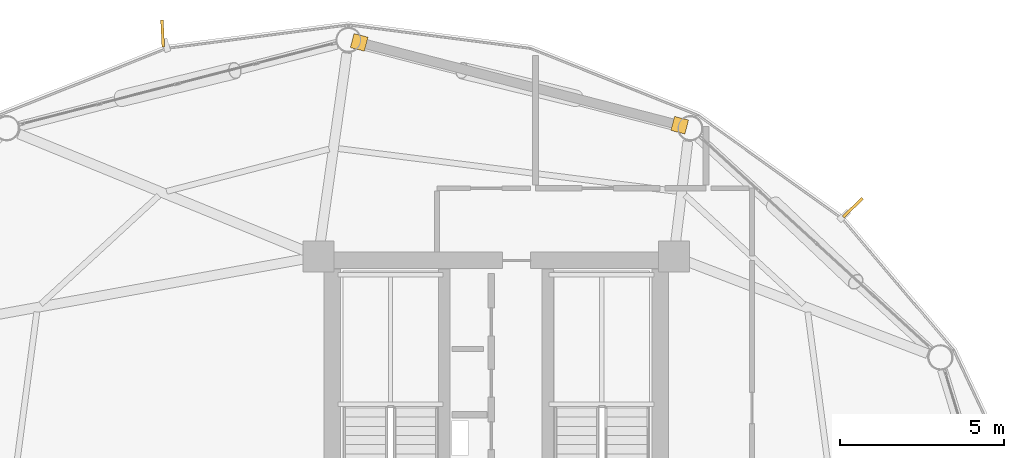
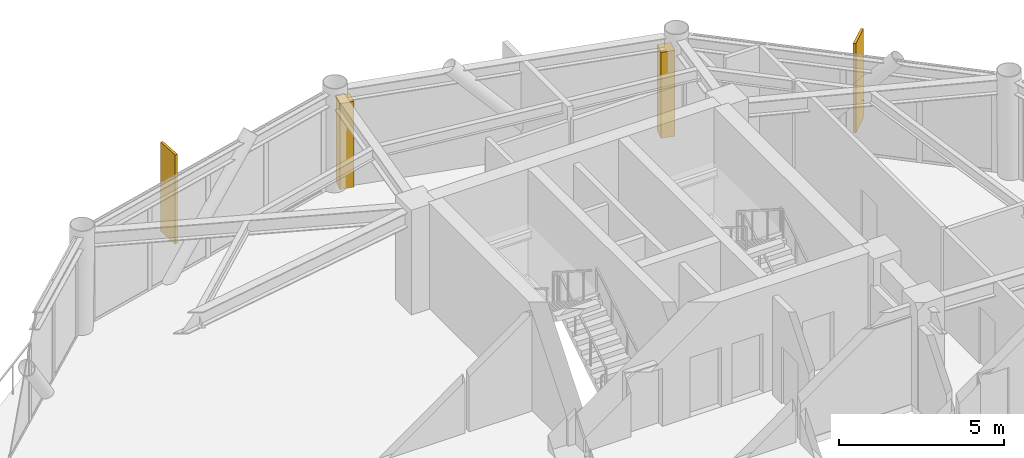
# One storey, part 26 of 26: 2 coverings, 2 shading devices.
"""IFC4 building model written with IfcOpenShell, lengths in metres."""

import ifcopenshell
import ifcopenshell.guid

model = None  # the IFC model being written
_history = None  # IfcOwnerHistory: only IFC2X3 demands one
_inside = {}  # id of a spatial element -> (the spatial element, [elements in it])
_under = {}  # id of a project, library or spatial element -> (it, [spatial elements below it])
_declared = {}  # id of a project -> (the project, [libraries it declares])
_typed = {}  # id of a type object -> (the type object, [elements of that type])
_made_of = {}  # id of a material, layer set ... -> (it, [elements and type objects made of it])


def new_model(schema):
    """Start an empty IFC model of exactly this schema.

    Asked for "IFC4X3", IfcOpenShell would pick the latest addendum, in which some entities
    have other attributes; the version numbers below select the first issue.
    IFC2X3 requires an IfcOwnerHistory on every rooted entity: one is made here for all.
    """
    global model, _history
    if schema == "IFC4X3":
        model = ifcopenshell.file(schema_version=(4, 3, 0, 0))
    else:
        model = ifcopenshell.file(schema=schema)
    _inside.clear()
    _under.clear()
    _declared.clear()
    _typed.clear()
    _made_of.clear()
    _history = None
    if model.schema == "IFC2X3":
        org = make("IfcOrganization", Name="unknown")
        user = make(
            "IfcPersonAndOrganization",
            ThePerson=make("IfcPerson", FamilyName="unknown"),
            TheOrganization=org,
        )
        app = make(
            "IfcApplication",
            ApplicationDeveloper=org,
            Version="unknown",
            ApplicationFullName="unknown",
            ApplicationIdentifier="unknown",
        )
        _history = make(
            "IfcOwnerHistory",
            OwningUser=user,
            OwningApplication=app,
            ChangeAction="ADDED",
            CreationDate=0,
        )
    return model


def make(cls, **values):
    """One entity of the class cls with the attributes given. An attribute that is None is left unset."""
    return model.create_entity(
        cls, **{name: value for name, value in values.items() if value is not None}
    )


def rooted(cls, **values):
    """An entity with a GlobalId (a new one), such as an element, a storey or a relation."""
    return make(cls, GlobalId=ifcopenshell.guid.new(), OwnerHistory=_history, **values)


def si_unit(unit_type, name, prefix=None):
    """IfcSIUnit, for example si_unit("LENGTHUNIT", "METRE", prefix="MILLI")."""
    return make("IfcSIUnit", UnitType=unit_type, Prefix=prefix, Name=name)


def assignment(units):
    """IfcUnitAssignment: the units of a project."""
    return None if units is None else make("IfcUnitAssignment", Units=units)


def point(xyz):
    """IfcCartesianPoint."""
    return None if xyz is None else make("IfcCartesianPoint", Coordinates=xyz)


def direction(xyz):
    """IfcDirection."""
    return None if xyz is None else make("IfcDirection", DirectionRatios=xyz)


def frame(location, z_axis=None, x_axis=None):
    """IfcAxis2Placement3D, a coordinate frame: its origin and axes. An axis left out is left unset."""
    return make(
        "IfcAxis2Placement3D",
        Location=point(location),
        Axis=direction(z_axis),
        RefDirection=direction(x_axis),
    )


def frame_2d(location, x_axis=None):
    """IfcAxis2Placement2D, a coordinate frame in the plane: its origin and x axis."""
    return make(
        "IfcAxis2Placement2D", Location=point(location), RefDirection=direction(x_axis)
    )


def origin():
    """The frame at (0, 0, 0) with its axes left unset."""
    return frame((0.0, 0.0, 0.0))


def origin_2d():
    """The frame at (0, 0) in the plane with its x axis left unset."""
    return frame_2d((0.0, 0.0))


def place(relative_to, where):
    """IfcLocalPlacement: puts the frame where relative to a parent placement (None: the world)."""
    return make(
        "IfcLocalPlacement", PlacementRelTo=relative_to, RelativePlacement=where
    )


def context(
    kind, dimensions, precision=None, world=None, true_north=None, identifier=None
):
    """IfcGeometricRepresentationContext, for example the 3D "Model" context."""
    return make(
        "IfcGeometricRepresentationContext",
        ContextIdentifier=identifier,
        ContextType=kind,
        CoordinateSpaceDimension=dimensions,
        Precision=precision,
        WorldCoordinateSystem=world,
        TrueNorth=true_north,
    )


def subcontext(parent, identifier, kind, view, scale=None):
    """IfcGeometricRepresentationSubContext, for example "Body" below "Model"."""
    return make(
        "IfcGeometricRepresentationSubContext",
        ContextIdentifier=identifier,
        ContextType=kind,
        ParentContext=parent,
        TargetScale=scale,
        TargetView=view,
    )


def project(units=None, contexts=None):
    """IfcProject with its units and contexts."""
    return rooted(
        "IfcProject",
        Name="project",
        RepresentationContexts=contexts,
        UnitsInContext=assignment(units),
    )


def spatial(cls, under=None, at=None, **own):
    """A site, building, storey or space (cls), placed at a placement, below another one or the project."""
    s = rooted(cls, ObjectPlacement=at, **own)
    if under is not None:
        _under.setdefault(under.id(), (under, []))[1].append(s)
    return s


def profile(cls, at=None, kind="AREA", **sizes):
    """A parametric profile (cls). Its sizes go by their IFC names, for example OverallWidth=200.0."""
    return make(cls, ProfileType=kind, Position=at, **sizes)


def rectangle(**sizes):
    """IfcRectangleProfileDef."""
    return profile("IfcRectangleProfileDef", **sizes)


def extrude(swept, where, along, depth):
    """IfcExtrudedAreaSolid: the profile swept, set in the frame where, extruded along a direction by depth."""
    return make(
        "IfcExtrudedAreaSolid",
        SweptArea=swept,
        Position=where,
        ExtrudedDirection=direction(along),
        Depth=depth,
    )


def shape(context_of_items, identifier, shape_type, items):
    """IfcShapeRepresentation: the items that make up one representation, for example the "Body"."""
    return make(
        "IfcShapeRepresentation",
        ContextOfItems=context_of_items,
        RepresentationIdentifier=identifier,
        RepresentationType=shape_type,
        Items=items,
    )


def source(mapping_origin, context_of_items, identifier, shape_type, items):
    """IfcRepresentationMap: a shape defined once, which mapped items show again and again."""
    return make(
        "IfcRepresentationMap",
        MappingOrigin=mapping_origin,
        MappedRepresentation=shape(context_of_items, identifier, shape_type, items),
    )


def transform(
    local_origin,
    x_axis=None,
    y_axis=None,
    z_axis=None,
    scale=None,
    scale2=None,
    scale3=None,
    uniform=True,
):
    """IfcCartesianTransformationOperator3D, or its non-uniform kind. x_axis, y_axis, z_axis: its Axis1, 2, 3."""
    if uniform:
        return make(
            "IfcCartesianTransformationOperator3D",
            Axis1=direction(x_axis),
            Axis2=direction(y_axis),
            LocalOrigin=point(local_origin),
            Scale=scale,
            Axis3=direction(z_axis),
        )
    return make(
        "IfcCartesianTransformationOperator3DnonUniform",
        Axis1=direction(x_axis),
        Axis2=direction(y_axis),
        LocalOrigin=point(local_origin),
        Scale=scale,
        Axis3=direction(z_axis),
        Scale2=scale2,
        Scale3=scale3,
    )


def mapped(mapping_source, mapping_target):
    """IfcMappedItem: shows the shape of a source again, moved by a transform."""
    return make(
        "IfcMappedItem", MappingSource=mapping_source, MappingTarget=mapping_target
    )


def material(Name=None, Category=None):
    """IfcMaterial."""
    return make("IfcMaterial", Name=Name, Category=Category)


def layer(
    of_material, thickness, ventilated=None, Name=None, Category=None, Priority=None
):
    """IfcMaterialLayer: one layer of a wall or slab, of a material (None: an air gap)."""
    return make(
        "IfcMaterialLayer",
        Material=of_material,
        LayerThickness=thickness,
        IsVentilated=ventilated,
        Name=Name,
        Category=Category,
        Priority=Priority,
    )


def layer_set(layers, Name=None):
    """IfcMaterialLayerSet."""
    return make("IfcMaterialLayerSet", MaterialLayers=layers, LayerSetName=Name)


def made_of(thing, what):
    """Note that an element or type object is made of a material, layer set ...; save() writes the relation."""
    if what is not None:
        _made_of.setdefault(what.id(), (what, []))[1].append(thing)
    return thing


def type_object(cls, material=None, **own):
    """A type object (cls), such as IfcWallType, which elements share."""
    return made_of(rooted(cls, **own), material)


def type_shapes(of_type, sources):
    """Give a type object the sources (RepresentationMaps) that its elements show as mapped items."""
    of_type.RepresentationMaps = sources


def element(
    cls,
    number,
    at=None,
    inside=None,
    cuts=None,
    type_object=None,
    material=None,
    context=None,
    identifier="Body",
    shape_type=None,
    held_by="IfcProductDefinitionShape",
    body=None,
    shapes=None,
    **own,
):
    """One element of the class cls, such as IfcWall. Its Tag is "e" and its number.

    at: its placement. inside: the storey or other place that contains it. cuts: it is an
    opening in that element (IfcRelVoidsElement). A single representation is given by context,
    identifier, shape_type and body (its items); several are given by shapes. held_by: the class
    of the entity that holds the representations. save() writes the other relations.
    """
    e = rooted(cls, Tag="e%d" % number, ObjectPlacement=at, **own)
    if body is not None:
        shapes = [shape(context, identifier, shape_type, body)]
    if shapes is not None:
        e.Representation = make(held_by, Representations=shapes)
    if inside is not None:
        _inside.setdefault(inside.id(), (inside, []))[1].append(e)
    if cuts is not None:
        rooted(
            "IfcRelVoidsElement", RelatingBuildingElement=cuts, RelatedOpeningElement=e
        )
    if type_object is not None:
        _typed.setdefault(type_object.id(), (type_object, []))[1].append(e)
    return made_of(e, material)


def aggregate(whole, parts):
    """IfcRelAggregates: a whole, such as a stair, and the parts it consists of."""
    return rooted("IfcRelAggregates", RelatingObject=whole, RelatedObjects=parts)


def save(model, path):
    """Write the relations noted so far, then the file.

    IfcRelAggregates (storeys below a building ...), IfcRelContainedInSpatialStructure (elements
    in a storey), IfcRelDefinesByType, IfcRelAssociatesMaterial and IfcRelDeclares: one each for
    every whole, place, type object, material and project.
    """
    for whole, parts in _under.values():
        aggregate(whole, parts)
    for where, things in _inside.values():
        rooted(
            "IfcRelContainedInSpatialStructure",
            RelatedElements=things,
            RelatingStructure=where,
        )
    for kind, things in _typed.values():
        rooted("IfcRelDefinesByType", RelatedObjects=things, RelatingType=kind)
    for what, things in _made_of.values():
        rooted("IfcRelAssociatesMaterial", RelatedObjects=things, RelatingMaterial=what)
    for by, libraries in _declared.values():
        rooted("IfcRelDeclares", RelatingContext=by, RelatedDefinitions=libraries)
    model.write(path)


model = new_model("IFC4")

# Units and contexts
model_context = context("Model", 3, precision=1e-05, world=origin(), true_north=direction((0.0, 1.0)))
body_context = subcontext(model_context, "Body", "Model", "MODEL_VIEW")
ifc_project = project(units=[si_unit("LENGTHUNIT", "METRE"), si_unit("AREAUNIT", "SQUARE_METRE"), si_unit("VOLUMEUNIT", "CUBIC_METRE"), si_unit("PLANEANGLEUNIT", "RADIAN"), si_unit("MASSUNIT", "GRAM", prefix="KILO")], contexts=[model_context])

# Site, building, storey
site_placement = place(None, origin())
site = spatial("IfcSite", under=ifc_project, at=site_placement, CompositionType="ELEMENT")
building_placement = place(site_placement, origin())
building = spatial("IfcBuilding", under=site, at=building_placement, Name="Varnakorn Sky Granary", CompositionType="ELEMENT")
storey_placement = place(building_placement, frame((0.0, 0.0, 138.300048828125)))
storey = spatial("IfcBuildingStorey", under=building, at=storey_placement, Name="L34", CompositionType="ELEMENT", Elevation=138.300048828125)

# Shading devices
ifc_material = material(Name="Anodised Bronze Aluminium Alloy 6063-T6", Category="aluminium")
shading_device_type = type_object("IfcShadingDeviceType", Name="SH-FIN-02", PredefinedType="USERDEFINED", material=ifc_material)
shared_shape_1 = source(origin(), body_context, "Body", "SweptSolid", [
    extrude(rectangle(XDim=0.0849609375, YDim=0.820068359375, at=origin_2d()), origin(), (0.0, 0.0, 1.0), 3.300048828125),
])
type_shapes(shading_device_type, [shared_shape_1])
for number, where, z_axis, x_axis, name in (
    (1, (13.875, 14.1064453125, -0.0400390625), (0.0, 0.0, 1.0), (-0.693532672374, 0.720425174706, 0.0), "Bronze Solar-Tracking Vertical Blade FIN L34-02"),
    (2, (-7.167724609375, 19.41796875, -0.0400390625), (0.0, 0.0, 1.0), (-0.998820113094, -0.048563172046, 0.0), "Bronze Solar-Tracking Vertical Blade FIN L34-04"),
):
    element("IfcShadingDevice", number, at=place(storey_placement, frame(where, z_axis=z_axis, x_axis=x_axis)), inside=storey, type_object=shading_device_type, Name=name, ObjectType="FIN", PredefinedType="USERDEFINED", context=body_context, shape_type="MappedRepresentation", body=[
        mapped(shared_shape_1, transform((0.0, 0.0, 0.0), x_axis=(1.0, 0.0, 0.0), y_axis=(0.0, 1.0, 0.0), z_axis=(0.0, 0.0, 1.0), scale=1.0)),
    ])

# Coverings
ifc_layer = layer(ifc_material, 0.050048828125, Name="Anodised Bronze Aluminium Alloy 6063-T6")
ifc_layer_set = layer_set([ifc_layer], Name="Anodised Bronze Aluminium Alloy 6063-T6")
covering_type = type_object("IfcCoveringType", Name="CV-CLAD-50", PredefinedType="CLADDING", material=ifc_layer_set)
shared_shape_2 = source(origin(), body_context, "Body", "SweptSolid", [
    extrude(rectangle(XDim=0.43994140625, YDim=0.43994140625, at=origin_2d()), origin(), (0.0, 0.0, 1.0), 3.179931640625),
])
type_shapes(covering_type, [shared_shape_2])
for number, where, z_axis, x_axis, name in (
    (3, (-1.1748046875, 19.14697265625, -0.02001953125), (0.0, 0.0, 1.0), (0.968191325187, -0.250211026602, 0.0), "Bronze Corner Pilaster Closure L34-P03-A"),
    (4, (8.5986328125, 16.62158203125, -0.02001953125), (0.0, 0.0, 1.0), (0.968191325187, -0.250211026602, 0.0), "Bronze Corner Pilaster Closure L34-P03-B"),
):
    element("IfcCovering", number, at=place(storey_placement, frame(where, z_axis=z_axis, x_axis=x_axis)), inside=storey, type_object=covering_type, Name=name, PredefinedType="CLADDING", context=body_context, shape_type="MappedRepresentation", body=[
        mapped(shared_shape_2, transform((0.0, 0.0, 0.0), x_axis=(1.0, 0.0, 0.0), y_axis=(0.0, 1.0, 0.0), z_axis=(0.0, 0.0, 1.0), scale=1.0)),
    ])

save(model, "model.ifc")
